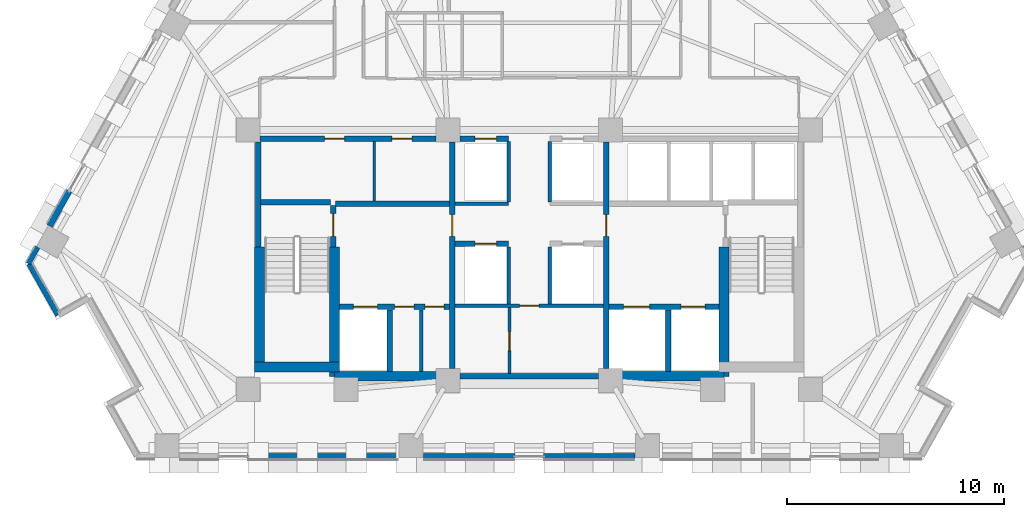
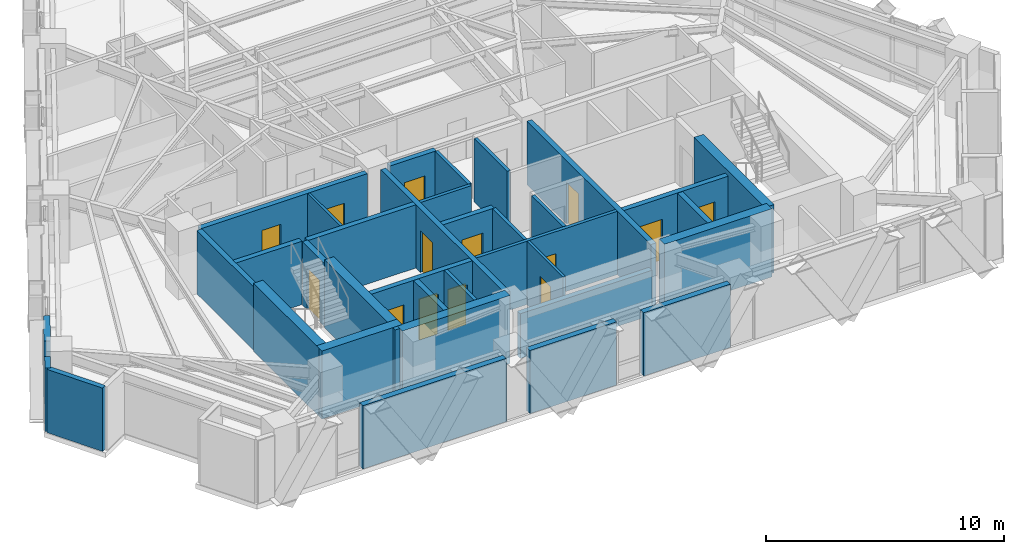
# One storey, part 7 of 13: 35 walls, 14 doors, 14 openings.
"""IFC4 building model written with IfcOpenShell, lengths in metres."""

from ifc_helpers import new_model, si_unit, direction, frame, frame_2d, origin, place, context, subcontext, project, spatial, rectangle, extrude, material, layer, layer_set, type_object, element, fill, save


model = new_model("IFC4")

# Units and contexts
model_context = context("Model", 3, precision=1e-05, world=origin(), true_north=direction((0.0, 1.0)))
body_context = subcontext(model_context, "Body", "Model", "MODEL_VIEW")
ifc_project = project(units=[si_unit("LENGTHUNIT", "METRE"), si_unit("AREAUNIT", "SQUARE_METRE"), si_unit("VOLUMEUNIT", "CUBIC_METRE"), si_unit("PLANEANGLEUNIT", "RADIAN"), si_unit("MASSUNIT", "GRAM", prefix="KILO")], contexts=[model_context])

# Site, building, storey
site_placement = place(None, origin())
site = spatial("IfcSite", under=ifc_project, at=site_placement, CompositionType="ELEMENT")
building_placement = place(site_placement, origin())
building = spatial("IfcBuilding", under=site, at=building_placement, Name="Quenlor Broadcast Tower", CompositionType="ELEMENT")
storey_placement = place(building_placement, frame((0.0, 0.0, 119.5)))
storey = spatial("IfcBuildingStorey", under=building, at=storey_placement, Name="L32", CompositionType="ELEMENT", Elevation=119.5)

# Walls
ifc_material_1 = material(Name="Concrete C50/60", Category="concrete")
ifc_layer_1 = layer(ifc_material_1, 0.449951171875)
ifc_layer_set_1 = layer_set([ifc_layer_1], Name="Core Concrete C50/60 Shear Wall 450")
wall_type_1 = type_object("IfcWallType", Name="Core Concrete C50/60 Shear Wall 450", PredefinedType="SHEAR", material=ifc_layer_set_1)
wall_1_placement = place(storey_placement, frame((-12.64990234375, -15.72509765625, 0.0), z_axis=(0.0, 0.0, 1.0), x_axis=(1.0, 0.0, 0.0)))
element("IfcWall", 1, at=wall_1_placement, inside=storey, type_object=wall_type_1, Name="L32 Core Shear Wall WS-W1", PredefinedType="SHEAR", context=body_context, shape_type="SweptSolid", body=[
    extrude(rectangle(XDim=3.89990234375, YDim=0.449951171875, at=frame_2d((1.949951171875, 0.0))), origin(), (0.0, 0.0, 1.0), 3.5),
])
for number, where, z_axis, x_axis, name in (
    (2, (-8.97509765625, -16.14990234375, 0.0), (0.0, 0.0, 1.0), (1.0, 0.0, 0.0), "L32 Core Shear Wall WS-W2"),
    (3, (3.75, -16.14990234375, 0.0), (0.0, 0.0, 1.0), (1.0, 0.0, 0.0), "L32 Core Shear Wall WS-E1"),
):
    element("IfcWall", number, at=place(storey_placement, frame(where, z_axis=z_axis, x_axis=x_axis)), inside=storey, type_object=wall_type_1, Name=name, PredefinedType="SHEAR", context=body_context, shape_type="SweptSolid", body=[
        extrude(rectangle(XDim=5.22509765625, YDim=0.449951171875, at=frame_2d((2.612548828125, 0.0))), origin(), (0.0, 0.0, 1.0), 3.5),
    ])
wall_2_placement = place(storey_placement, frame((-12.425048828125, -15.72509765625, 0.0), z_axis=(0.0, 0.0, 1.0), x_axis=(0.0, 1.0, 0.0)))
element("IfcWall", 4, at=wall_2_placement, inside=storey, type_object=wall_type_1, Name="L32 Core Shear Wall WF-W", PredefinedType="SHEAR", context=body_context, shape_type="SweptSolid", body=[
    extrude(rectangle(XDim=5.525146484375, YDim=0.449951171875, at=frame_2d((2.7626953125, 0.0))), origin(), (0.0, 0.0, 1.0), 3.5),
])
for number, where, z_axis, x_axis, name in (
    (5, (-8.97509765625, -16.14990234375, 0.0), (0.0, 0.0, 1.0), (0.0, 1.0, 0.0), "L32 Core Shear Wall WI-W"),
    (6, (8.97509765625, -16.14990234375, 0.0), (0.0, 0.0, 1.0), (0.0, 1.0, 0.0), "L32 Core Shear Wall WI-E"),
):
    element("IfcWall", number, at=place(storey_placement, frame(where, z_axis=z_axis, x_axis=x_axis)), inside=storey, type_object=wall_type_1, Name=name, PredefinedType="SHEAR", context=body_context, shape_type="SweptSolid", body=[
        extrude(rectangle(XDim=5.949951171875, YDim=0.449951171875, at=frame_2d((2.97509765625, 0.0))), origin(), (0.0, 0.0, 1.0), 3.5),
    ])

# Wall, opening, door
ifc_material_2 = material(Name="Concrete C40/50", Category="concrete")
ifc_layer_2 = layer(ifc_material_2, 0.25)
ifc_layer_set_2 = layer_set([ifc_layer_2], Name="Fire Rated Concrete C40/50 Core Wall 250")
wall_type_2 = type_object("IfcWallType", Name="Fire Rated Concrete C40/50 Core Wall 250", PredefinedType="PARTITIONING", material=ifc_layer_set_2)
wall_3_placement = place(storey_placement, frame((-9.0400390625, -10.179931640625, 0.0), z_axis=(0.0, 0.0, 1.0), x_axis=(0.0, 1.0, 0.0)))
wall_3 = element("IfcWall", 7, at=wall_3_placement, inside=storey, type_object=wall_type_2, Name="L32 Interior Wall CW-ST1-DR", PredefinedType="PARTITIONING", context=body_context, shape_type="SweptSolid", body=[
    extrude(rectangle(XDim=1.89990234375, YDim=0.25, at=frame_2d((0.949951171875, 0.0))), origin(), (0.0, 0.0, 1.0), 3.25),
])
opening_1_placement = place(wall_3_placement, frame((0.47998046875, 0.0, 0.0)))
opening_1 = element("IfcOpeningElement", 8, at=opening_1_placement, cuts=wall_3, Name="Opening FD-1", PredefinedType="OPENING", context=body_context, shape_type="SweptSolid", body=[
    extrude(rectangle(XDim=1.050048828125, YDim=2.14990234375, at=frame_2d((0.52490234375, 1.074951171875))), frame((0.0, 0.135009765625, 0.0), z_axis=(0.0, -1.0, 0.0), x_axis=(1.0, 0.0, 0.0)), (0.0, 0.0, 1.0), 0.27001953125),
])
ifc_material_3 = material(Name="Fire Rated Steel Door Leaf", Category="steel")
door_type_1 = type_object("IfcDoorType", Name="Fire Isolated Stair Door 1050x2150", OperationType="NOTDEFINED", PredefinedType="DOOR", material=ifc_material_3)
door_1_placement = place(opening_1_placement, origin())
door_1 = element("IfcDoor", 9, at=door_1_placement, inside=storey, type_object=door_type_1, Name="L32 Door DR-ST1", OperationType="SINGLE_SWING_LEFT", OverallHeight=2.14990234375, OverallWidth=1.050048828125, PredefinedType="DOOR", context=body_context, shape_type="SweptSolid", body=[
    extrude(rectangle(XDim=1.050048828125, YDim=2.14990234375, at=frame_2d((0.52490234375, 1.074951171875))), frame((0.0, 0.02490234375, 0.0), z_axis=(0.0, -1.0, 0.0), x_axis=(1.0, 0.0, 0.0)), (0.0, 0.0, 1.0), 0.050048828125),
])
fill(opening_1, door_1)

# Walls
wall_4_placement = place(storey_placement, frame((-12.3798828125, -8.1201171875, 0.0), z_axis=(0.0, 0.0, 1.0), x_axis=(1.0, 0.0, 0.0)))
element("IfcWall", 10, at=wall_4_placement, inside=storey, type_object=wall_type_2, Name="L32 Interior Wall CW-ST1-N", PredefinedType="PARTITIONING", context=body_context, shape_type="SweptSolid", body=[
    extrude(rectangle(XDim=3.219970703125, YDim=0.25, at=frame_2d((1.60986328125, 0.0))), origin(), (0.0, 0.0, 1.0), 3.25),
])
wall_5_placement = place(storey_placement, frame((-12.47998046875, -10.179931640625, 0.0), z_axis=(0.0, 0.0, 1.0), x_axis=(0.0, 1.0, 0.0)))
element("IfcWall", 11, at=wall_5_placement, inside=storey, type_object=wall_type_2, Name="L32 Interior Wall CW-ST1-W2", PredefinedType="PARTITIONING", context=body_context, shape_type="SweptSolid", body=[
    extrude(rectangle(XDim=4.827880859375, YDim=0.25, at=frame_2d((2.4140625, 0.0))), origin(), (0.0, 0.0, 1.0), 3.25),
])

# Wall, openings, doors
wall_6_placement = place(storey_placement, frame((-8.748046875, -12.949951171875, 0.0), z_axis=(0.0, 0.0, 1.0), x_axis=(1.0, 0.0, 0.0)))
wall_6 = element("IfcWall", 12, at=wall_6_placement, inside=storey, type_object=wall_type_2, Name="L32 Interior Wall CW-FFW-S", PredefinedType="PARTITIONING", context=body_context, shape_type="SweptSolid", body=[
    extrude(rectangle(XDim=5.068115234375, YDim=0.25, at=frame_2d((2.5341796875, 0.0))), origin(), (0.0, 0.0, 1.0), 3.25),
])
opening_2_placement = place(wall_6_placement, frame((0.64794921875, 0.0, 0.0)))
opening_2 = element("IfcOpeningElement", 13, at=opening_2_placement, cuts=wall_6, Name="Opening LD-FFL-1", PredefinedType="OPENING", context=body_context, shape_type="SweptSolid", body=[
    extrude(rectangle(XDim=1.10009765625, YDim=2.14990234375, at=frame_2d((0.550048828125, 1.074951171875))), frame((0.0, 0.135009765625, 0.0), z_axis=(0.0, -1.0, 0.0), x_axis=(1.0, 0.0, 0.0)), (0.0, 0.0, 1.0), 0.27001953125),
])
opening_3_placement = place(wall_6_placement, frame((2.548095703125, 0.0, 0.0)))
opening_3 = element("IfcOpeningElement", 14, at=opening_3_placement, cuts=wall_6, Name="Opening TD-1", PredefinedType="OPENING", context=body_context, shape_type="SweptSolid", body=[
    extrude(rectangle(XDim=0.8798828125, YDim=2.10009765625, at=frame_2d((0.43994140625, 1.050048828125))), frame((0.0, 0.135009765625, 0.0), z_axis=(0.0, -1.0, 0.0), x_axis=(1.0, 0.0, 0.0)), (0.0, 0.0, 1.0), 0.27001953125),
])
opening_4_placement = place(wall_6_placement, frame((3.947998046875, 0.0, 0.0)))
opening_4 = element("IfcOpeningElement", 15, at=opening_4_placement, cuts=wall_6, Name="Opening TD-1", PredefinedType="OPENING", context=body_context, shape_type="SweptSolid", body=[
    extrude(rectangle(XDim=0.8798828125, YDim=2.10009765625, at=frame_2d((0.43994140625, 1.050048828125))), frame((0.0, 0.135009765625, 0.0), z_axis=(0.0, -1.0, 0.0), x_axis=(1.0, 0.0, 0.0)), (0.0, 0.0, 1.0), 0.27001953125),
])
ifc_material_4 = material(Name="Brushed Stainless Steel", Category="steel")
door_type_2 = type_object("IfcDoorType", Name="Emergency Lift Sliding Landing Door 1100x2150", OperationType="NOTDEFINED", PredefinedType="DOOR", material=ifc_material_4)
door_2_placement = place(opening_2_placement, origin())
door_2 = element("IfcDoor", 16, at=door_2_placement, inside=storey, type_object=door_type_2, Name="L32 Door LD-FFL-1", OperationType="SLIDING_TO_LEFT", OverallHeight=2.14990234375, OverallWidth=1.10009765625, PredefinedType="DOOR", context=body_context, shape_type="SweptSolid", body=[
    extrude(rectangle(XDim=1.10009765625, YDim=2.14990234375, at=frame_2d((0.550048828125, 1.074951171875))), frame((0.0, 0.02490234375, 0.0), z_axis=(0.0, -1.0, 0.0), x_axis=(1.0, 0.0, 0.0)), (0.0, 0.0, 1.0), 0.050048828125),
])
fill(opening_2, door_2)
ifc_material_5 = material(Name="Fire Rated Steel Access Panel", Category="steel")
door_type_3 = type_object("IfcDoorType", Name="Riser Shaft Rated Access Trapdoor 880x2100", OperationType="NOTDEFINED", PredefinedType="TRAPDOOR", material=ifc_material_5)
door_3_placement = place(opening_3_placement, origin())
door_3 = element("IfcDoor", 17, at=door_3_placement, inside=storey, type_object=door_type_3, Name="L32 Door DR-ELR", OperationType="SINGLE_SWING_LEFT", OverallHeight=2.10009765625, OverallWidth=0.8798828125, PredefinedType="TRAPDOOR", context=body_context, shape_type="SweptSolid", body=[
    extrude(rectangle(XDim=0.8798828125, YDim=2.10009765625, at=frame_2d((0.43994140625, 1.050048828125))), frame((0.0, 0.02490234375, 0.0), z_axis=(0.0, -1.0, 0.0), x_axis=(1.0, 0.0, 0.0)), (0.0, 0.0, 1.0), 0.050048828125),
])
fill(opening_3, door_3)
door_4_placement = place(opening_4_placement, origin())
door_4 = element("IfcDoor", 18, at=door_4_placement, inside=storey, type_object=door_type_3, Name="L32 Door DR-CMR", OperationType="SINGLE_SWING_RIGHT", OverallHeight=2.10009765625, OverallWidth=0.8798828125, PredefinedType="TRAPDOOR", context=body_context, shape_type="SweptSolid", body=[
    extrude(rectangle(XDim=0.8798828125, YDim=2.10009765625, at=frame_2d((0.43994140625, 1.050048828125))), frame((0.0, 0.02490234375, 0.0), z_axis=(0.0, -1.0, 0.0), x_axis=(1.0, 0.0, 0.0)), (0.0, 0.0, 1.0), 0.050048828125),
])
fill(opening_4, door_4)

wall_7_placement = place(storey_placement, frame((3.679931640625, -12.949951171875, 0.0), z_axis=(0.0, 0.0, 1.0), x_axis=(1.0, 0.0, 0.0)))
wall_7 = element("IfcWall", 19, at=wall_7_placement, inside=storey, type_object=wall_type_2, Name="L32 Interior Wall CW-FFE-S", PredefinedType="PARTITIONING", context=body_context, shape_type="SweptSolid", body=[
    extrude(rectangle(XDim=5.068115234375, YDim=0.25, at=frame_2d((2.5341796875, 0.0))), origin(), (0.0, 0.0, 1.0), 3.25),
])
opening_5_placement = place(wall_7_placement, frame((3.320068359375, 0.0, 0.0)))
opening_5 = element("IfcOpeningElement", 20, at=opening_5_placement, cuts=wall_7, Name="Opening LD-FFL-2", PredefinedType="OPENING", context=body_context, shape_type="SweptSolid", body=[
    extrude(rectangle(XDim=1.10009765625, YDim=2.14990234375, at=frame_2d((0.550048828125, 1.074951171875))), frame((0.0, 0.135009765625, 0.0), z_axis=(0.0, -1.0, 0.0), x_axis=(1.0, 0.0, 0.0)), (0.0, 0.0, 1.0), 0.27001953125),
])
opening_6_placement = place(wall_7_placement, frame((0.669921875, 0.0, 0.0)))
opening_6 = element("IfcOpeningElement", 21, at=opening_6_placement, cuts=wall_7, Name="Opening LD-SVL-1", PredefinedType="OPENING", context=body_context, shape_type="SweptSolid", body=[
    extrude(rectangle(XDim=1.199951171875, YDim=2.14990234375, at=frame_2d((0.60009765625, 1.074951171875))), frame((0.0, 0.135009765625, 0.0), z_axis=(0.0, -1.0, 0.0), x_axis=(1.0, 0.0, 0.0)), (0.0, 0.0, 1.0), 0.27001953125),
])
door_5_placement = place(opening_5_placement, origin())
door_5 = element("IfcDoor", 22, at=door_5_placement, inside=storey, type_object=door_type_2, Name="L32 Door LD-FFL-2", OperationType="SLIDING_TO_RIGHT", OverallHeight=2.14990234375, OverallWidth=1.10009765625, PredefinedType="DOOR", context=body_context, shape_type="SweptSolid", body=[
    extrude(rectangle(XDim=1.10009765625, YDim=2.14990234375, at=frame_2d((0.550048828125, 1.074951171875))), frame((0.0, 0.02490234375, 0.0), z_axis=(0.0, -1.0, 0.0), x_axis=(1.0, 0.0, 0.0)), (0.0, 0.0, 1.0), 0.050048828125),
])
fill(opening_5, door_5)
ifc_material_6 = material(Name="Brushed Stainless Steel", Category="steel")
door_type_4 = type_object("IfcDoorType", Name="Goods Lift Sliding Landing Door 1200x2150", OperationType="NOTDEFINED", PredefinedType="DOOR", material=ifc_material_6)
door_6_placement = place(opening_6_placement, origin())
door_6 = element("IfcDoor", 23, at=door_6_placement, inside=storey, type_object=door_type_4, Name="L32 Door LD-SVL-1", OperationType="SLIDING_TO_LEFT", OverallHeight=2.14990234375, OverallWidth=1.199951171875, PredefinedType="DOOR", context=body_context, shape_type="SweptSolid", body=[
    extrude(rectangle(XDim=1.199951171875, YDim=2.14990234375, at=frame_2d((0.60009765625, 1.074951171875))), frame((0.0, 0.02490234375, 0.0), z_axis=(0.0, -1.0, 0.0), x_axis=(1.0, 0.0, 0.0)), (0.0, 0.0, 1.0), 0.050048828125),
])
fill(opening_6, door_6)

# Walls
for number, where, z_axis, x_axis, name in (
    (24, (-6.419921875, -15.919921875, 0.0), (0.0, 0.0, 1.0), (0.0, 1.0, 0.0), "L32 Interior Wall CW-FF1-E"),
    (25, (6.39990234375, -15.919921875, 0.0), (0.0, 0.0, 1.0), (0.0, 1.0, 0.0), "L32 Interior Wall CW-SV1-E"),
):
    element("IfcWall", number, at=place(storey_placement, frame(where, z_axis=z_axis, x_axis=x_axis)), inside=storey, type_object=wall_type_2, Name=name, PredefinedType="PARTITIONING", context=body_context, shape_type="SweptSolid", body=[
        extrude(rectangle(XDim=2.829833984375, YDim=0.25, at=frame_2d((1.4150390625, 0.0))), origin(), (0.0, 0.0, 1.0), 3.25),
    ])
wall_8_placement = place(storey_placement, frame((-8.919921875, -8.199951171875, 0.0), z_axis=(0.0, 0.0, 1.0), x_axis=(1.0, 0.0, 0.0)))
element("IfcWall", 26, at=wall_8_placement, inside=storey, type_object=wall_type_2, Name="L32 Interior Wall CW-FFW-N", PredefinedType="PARTITIONING", context=body_context, shape_type="SweptSolid", body=[
    extrude(rectangle(XDim=5.239990234375, YDim=0.25, at=frame_2d((2.6201171875, 0.0))), origin(), (0.0, 0.0, 1.0), 3.25),
])

# Wall, opening, door
wall_9_placement = place(storey_placement, frame((-3.550048828125, -15.798095703125, 0.0), z_axis=(0.0, 0.0, 1.0), x_axis=(0.0, 1.0, 0.0)))
wall_9 = element("IfcWall", 27, at=wall_9_placement, inside=storey, type_object=wall_type_2, Name="L32 Interior Wall CW-FFW-E", PredefinedType="PARTITIONING", context=body_context, shape_type="SweptSolid", body=[
    extrude(rectangle(XDim=10.446044921875, YDim=0.25, at=frame_2d((5.22314453125, 0.0))), origin(), (0.0, 0.0, 1.0), 3.25),
])
opening_7_placement = place(wall_9_placement, frame((6.097900390625, 0.0, 0.0)))
opening_7 = element("IfcOpeningElement", 28, at=opening_7_placement, cuts=wall_9, Name="Opening FD-2", PredefinedType="OPENING", context=body_context, shape_type="SweptSolid", body=[
    extrude(rectangle(XDim=1.0, YDim=2.14990234375, at=frame_2d((0.5, 1.074951171875))), frame((0.0, 0.135009765625, 0.0), z_axis=(0.0, -1.0, 0.0), x_axis=(1.0, 0.0, 0.0)), (0.0, 0.0, 1.0), 0.27001953125),
])
ifc_material_7 = material(Name="Fire Rated Glazed Steel Door", Category="steel")
door_type_5 = type_object("IfcDoorType", Name="Firefighting Lobby Smoke Door 1000x2150", OperationType="NOTDEFINED", PredefinedType="DOOR", material=ifc_material_7)
door_7_placement = place(opening_7_placement, origin())
door_7 = element("IfcDoor", 29, at=door_7_placement, inside=storey, type_object=door_type_5, Name="L32 Door DR-FFLW", OperationType="SINGLE_SWING_RIGHT", OverallHeight=2.14990234375, OverallWidth=1.0, PredefinedType="DOOR", context=body_context, shape_type="SweptSolid", body=[
    extrude(rectangle(XDim=1.0, YDim=2.14990234375, at=frame_2d((0.5, 1.074951171875))), frame((0.0, 0.02490234375, 0.0), z_axis=(0.0, -1.0, 0.0), x_axis=(1.0, 0.0, 0.0)), (0.0, 0.0, 1.0), 0.050048828125),
])
fill(opening_7, door_7)

wall_10_placement = place(storey_placement, frame((3.550048828125, -15.798095703125, 0.0), z_axis=(0.0, 0.0, 1.0), x_axis=(0.0, 1.0, 0.0)))
wall_10 = element("IfcWall", 30, at=wall_10_placement, inside=storey, type_object=wall_type_2, Name="L32 Interior Wall CW-FFE-W", PredefinedType="PARTITIONING", context=body_context, shape_type="SweptSolid", body=[
    extrude(rectangle(XDim=10.446044921875, YDim=0.25, at=frame_2d((5.22314453125, 0.0))), origin(), (0.0, 0.0, 1.0), 3.25),
])
opening_8_placement = place(wall_10_placement, frame((6.097900390625, 0.0, 0.0)))
opening_8 = element("IfcOpeningElement", 31, at=opening_8_placement, cuts=wall_10, Name="Opening FD-2", PredefinedType="OPENING", context=body_context, shape_type="SweptSolid", body=[
    extrude(rectangle(XDim=1.0, YDim=2.14990234375, at=frame_2d((0.5, 1.074951171875))), frame((0.0, 0.135009765625, 0.0), z_axis=(0.0, -1.0, 0.0), x_axis=(1.0, 0.0, 0.0)), (0.0, 0.0, 1.0), 0.27001953125),
])
door_8_placement = place(opening_8_placement, origin())
door_8 = element("IfcDoor", 32, at=door_8_placement, inside=storey, type_object=door_type_5, Name="L32 Door DR-FFLE", OperationType="SINGLE_SWING_LEFT", OverallHeight=2.14990234375, OverallWidth=1.0, PredefinedType="DOOR", context=body_context, shape_type="SweptSolid", body=[
    extrude(rectangle(XDim=1.0, YDim=2.14990234375, at=frame_2d((0.5, 1.074951171875))), frame((0.0, 0.02490234375, 0.0), z_axis=(0.0, -1.0, 0.0), x_axis=(1.0, 0.0, 0.0)), (0.0, 0.0, 1.0), 0.050048828125),
])
fill(opening_8, door_8)

# Wall, openings, doors
wall_11_placement = place(storey_placement, frame((-12.39794921875, -5.199951171875, 0.0), z_axis=(0.0, 0.0, 1.0), x_axis=(1.0, 0.0, 0.0)))
wall_11 = element("IfcWall", 33, at=wall_11_placement, inside=storey, type_object=wall_type_2, Name="L32 Interior Wall CW-N-W", PredefinedType="PARTITIONING", context=body_context, shape_type="SweptSolid", body=[
    extrude(rectangle(XDim=8.095947265625, YDim=0.25, at=frame_2d((4.0478515625, 0.0))), origin(), (0.0, 0.0, 1.0), 3.25),
])
opening_9_placement = place(wall_11_placement, frame((2.968017578125, 0.0, 0.0)))
opening_9 = element("IfcOpeningElement", 34, at=opening_9_placement, cuts=wall_11, Name="Opening ID-1", PredefinedType="OPENING", context=body_context, shape_type="SweptSolid", body=[
    extrude(rectangle(XDim=0.919921875, YDim=2.1201171875, at=frame_2d((0.4599609375, 1.06005859375))), frame((0.0, 0.135009765625, 0.0), z_axis=(0.0, -1.0, 0.0), x_axis=(1.0, 0.0, 0.0)), (0.0, 0.0, 1.0), 0.27001953125),
])
opening_10_placement = place(wall_11_placement, frame((6.068115234375, 0.0, 0.0)))
opening_10 = element("IfcOpeningElement", 35, at=opening_10_placement, cuts=wall_11, Name="Opening ID-1", PredefinedType="OPENING", context=body_context, shape_type="SweptSolid", body=[
    extrude(rectangle(XDim=0.919921875, YDim=2.1201171875, at=frame_2d((0.4599609375, 1.06005859375))), frame((0.0, 0.135009765625, 0.0), z_axis=(0.0, -1.0, 0.0), x_axis=(1.0, 0.0, 0.0)), (0.0, 0.0, 1.0), 0.27001953125),
])
ifc_material_8 = material(Name="Solid Core Timber Oak", Category="wood")
door_type_6 = type_object("IfcDoorType", Name="Single Leaf Timber Office Door 920x2120", OperationType="NOTDEFINED", PredefinedType="DOOR", material=ifc_material_8)
door_9_placement = place(opening_9_placement, origin())
door_9 = element("IfcDoor", 36, at=door_9_placement, inside=storey, type_object=door_type_6, Name="L32 Door DR-RCL1", OperationType="SINGLE_SWING_LEFT", OverallHeight=2.1201171875, OverallWidth=0.919921875, PredefinedType="DOOR", context=body_context, shape_type="SweptSolid", body=[
    extrude(rectangle(XDim=0.919921875, YDim=2.1201171875, at=frame_2d((0.4599609375, 1.06005859375))), frame((0.0, 0.02490234375, 0.0), z_axis=(0.0, -1.0, 0.0), x_axis=(1.0, 0.0, 0.0)), (0.0, 0.0, 1.0), 0.050048828125),
])
fill(opening_9, door_9)
door_10_placement = place(opening_10_placement, origin())
door_10 = element("IfcDoor", 37, at=door_10_placement, inside=storey, type_object=door_type_6, Name="L32 Door DR-RCL2", OperationType="SINGLE_SWING_RIGHT", OverallHeight=2.1201171875, OverallWidth=0.919921875, PredefinedType="DOOR", context=body_context, shape_type="SweptSolid", body=[
    extrude(rectangle(XDim=0.919921875, YDim=2.1201171875, at=frame_2d((0.4599609375, 1.06005859375))), frame((0.0, 0.02490234375, 0.0), z_axis=(0.0, -1.0, 0.0), x_axis=(1.0, 0.0, 0.0)), (0.0, 0.0, 1.0), 0.050048828125),
])
fill(opening_10, door_10)

# Wall, opening, door
wall_12_placement = place(storey_placement, frame((-3.197998046875, -5.199951171875, 0.0), z_axis=(0.0, 0.0, 1.0), x_axis=(1.0, 0.0, 0.0)))
wall_12 = element("IfcWall", 38, at=wall_12_placement, inside=storey, type_object=wall_type_2, Name="L32 Interior Wall CW-N-M1", PredefinedType="PARTITIONING", context=body_context, shape_type="SweptSolid", body=[
    extrude(rectangle(XDim=2.248046875, YDim=0.25, at=frame_2d((1.1240234375, 0.0))), origin(), (0.0, 0.0, 1.0), 3.25),
])
opening_11_placement = place(wall_12_placement, frame((0.697998046875, 0.0, 0.0)))
opening_11 = element("IfcOpeningElement", 39, at=opening_11_placement, cuts=wall_12, Name="Opening LD-PL-M1", PredefinedType="OPENING", context=body_context, shape_type="SweptSolid", body=[
    extrude(rectangle(XDim=1.0, YDim=2.14990234375, at=frame_2d((0.5, 1.074951171875))), frame((0.0, 0.135009765625, 0.0), z_axis=(0.0, -1.0, 0.0), x_axis=(1.0, 0.0, 0.0)), (0.0, 0.0, 1.0), 0.27001953125),
])
ifc_material_9 = material(Name="Brushed Stainless Steel", Category="steel")
door_type_7 = type_object("IfcDoorType", Name="Passenger Lift Sliding Landing Door 1000x2150", OperationType="NOTDEFINED", PredefinedType="DOOR", material=ifc_material_9)
door_11_placement = place(opening_11_placement, origin())
door_11 = element("IfcDoor", 40, at=door_11_placement, inside=storey, type_object=door_type_7, Name="L32 Door LD-PL-M1", OperationType="SLIDING_TO_LEFT", OverallHeight=2.14990234375, OverallWidth=1.0, PredefinedType="DOOR", context=body_context, shape_type="SweptSolid", body=[
    extrude(rectangle(XDim=1.0, YDim=2.14990234375, at=frame_2d((0.5, 1.074951171875))), frame((0.0, 0.02490234375, 0.0), z_axis=(0.0, -1.0, 0.0), x_axis=(1.0, 0.0, 0.0)), (0.0, 0.0, 1.0), 0.050048828125),
])
fill(opening_11, door_11)

# Wall
wall_13_placement = place(storey_placement, frame((-3.197998046875, -16.14990234375, 0.0), z_axis=(0.0, 0.0, 1.0), x_axis=(1.0, 0.0, 0.0)))
element("IfcWall", 41, at=wall_13_placement, inside=storey, type_object=wall_type_2, Name="L32 Interior Wall CW-MS-S", PredefinedType="PARTITIONING", context=body_context, shape_type="SweptSolid", body=[
    extrude(rectangle(XDim=6.39599609375, YDim=0.25, at=frame_2d((3.197998046875, 0.0))), origin(), (0.0, 0.0, 1.0), 2.300048828125),
])

# Wall, opening, door
wall_14_placement = place(storey_placement, frame((-3.419921875, -10.050048828125, 0.0), z_axis=(0.0, 0.0, 1.0), x_axis=(1.0, 0.0, 0.0)))
wall_14 = element("IfcWall", 42, at=wall_14_placement, inside=storey, type_object=wall_type_2, Name="L32 Interior Wall CW-MS-N1", PredefinedType="PARTITIONING", context=body_context, shape_type="SweptSolid", body=[
    extrude(rectangle(XDim=2.469970703125, YDim=0.25, at=frame_2d((1.23486328125, 0.0))), origin(), (0.0, 0.0, 1.0), 3.25),
])
opening_12_placement = place(wall_14_placement, frame((0.919921875, 0.0, 0.0)))
opening_12 = element("IfcOpeningElement", 43, at=opening_12_placement, cuts=wall_14, Name="Opening LD-PL-M3", PredefinedType="OPENING", context=body_context, shape_type="SweptSolid", body=[
    extrude(rectangle(XDim=1.0, YDim=2.14990234375, at=frame_2d((0.5, 1.074951171875))), frame((0.0, 0.135009765625, 0.0), z_axis=(0.0, -1.0, 0.0), x_axis=(1.0, 0.0, 0.0)), (0.0, 0.0, 1.0), 0.27001953125),
])
door_12_placement = place(opening_12_placement, origin())
door_12 = element("IfcDoor", 44, at=door_12_placement, inside=storey, type_object=door_type_7, Name="L32 Door LD-PL-M3", OperationType="SLIDING_TO_LEFT", OverallHeight=2.14990234375, OverallWidth=1.0, PredefinedType="DOOR", context=body_context, shape_type="SweptSolid", body=[
    extrude(rectangle(XDim=1.0, YDim=2.14990234375, at=frame_2d((0.5, 1.074951171875))), frame((0.0, 0.02490234375, 0.0), z_axis=(0.0, -1.0, 0.0), x_axis=(1.0, 0.0, 0.0)), (0.0, 0.0, 1.0), 0.050048828125),
])
fill(opening_12, door_12)

# Walls
ifc_material_10 = material(Name="Gypsum Fireboard Partition", Category="other")
ifc_layer_3 = layer(ifc_material_10, 0.159912109375)
ifc_layer_set_3 = layer_set([ifc_layer_3], Name="Fire Rated Shaft and Corridor Partition 160")
wall_type_3 = type_object("IfcWallType", Name="Fire Rated Shaft and Corridor Partition 160", PredefinedType="PARTITIONING", material=ifc_layer_set_3)
wall_15_placement = place(storey_placement, frame((-4.97998046875, -15.919921875, 0.0), z_axis=(0.0, 0.0, 1.0), x_axis=(0.0, 1.0, 0.0)))
element("IfcWall", 45, at=wall_15_placement, inside=storey, type_object=wall_type_3, Name="L32 Interior Wall CW-ELR-E", PredefinedType="PARTITIONING", context=body_context, shape_type="SweptSolid", body=[
    extrude(rectangle(XDim=2.829833984375, YDim=0.159912109375, at=frame_2d((1.4150390625, 0.0))), origin(), (0.0, 0.0, 1.0), 3.25),
])
for number, where, z_axis, x_axis, name in (
    (46, (-0.949951171875, -8.1201171875, 0.0), (0.0, 0.0, 1.0), (0.0, 1.0, 0.0), "L32 Interior Wall CW-CCRP-W"),
    (47, (0.949951171875, -8.1201171875, 0.0), (0.0, 0.0, 1.0), (0.0, 1.0, 0.0), "L32 Interior Wall CW-CCRP-E"),
):
    element("IfcWall", number, at=place(storey_placement, frame(where, z_axis=z_axis, x_axis=x_axis)), inside=storey, type_object=wall_type_3, Name=name, PredefinedType="PARTITIONING", context=body_context, shape_type="SweptSolid", body=[
        extrude(rectangle(XDim=2.780029296875, YDim=0.159912109375, at=frame_2d((1.39013671875, 0.0))), origin(), (0.0, 0.0, 1.0), 3.25),
    ])
wall_16_placement = place(storey_placement, frame((-3.419921875, -8.199951171875, 0.0), z_axis=(0.0, 0.0, 1.0), x_axis=(1.0, 0.0, 0.0)))
element("IfcWall", 48, at=wall_16_placement, inside=storey, type_object=wall_type_3, Name="L32 Interior Wall CW-M-BACK1", PredefinedType="PARTITIONING", context=body_context, shape_type="SweptSolid", body=[
    extrude(rectangle(XDim=2.469970703125, YDim=0.159912109375, at=frame_2d((1.23486328125, 0.0))), origin(), (0.0, 0.0, 1.0), 3.25),
])

# Wall, opening, door
wall_17_placement = place(storey_placement, frame((-3.419921875, -12.89990234375, 0.0), z_axis=(0.0, 0.0, 1.0), x_axis=(1.0, 0.0, 0.0)))
wall_17 = element("IfcWall", 49, at=wall_17_placement, inside=storey, type_object=wall_type_3, Name="L32 Interior Wall CW-MS-B", PredefinedType="PARTITIONING", context=body_context, shape_type="SweptSolid", body=[
    extrude(rectangle(XDim=6.83984375, YDim=0.159912109375, at=frame_2d((3.419921875, 0.0))), origin(), (0.0, 0.0, 1.0), 3.25),
])
opening_13_placement = place(wall_17_placement, frame((2.97998046875, 0.0, 0.0)))
opening_13 = element("IfcOpeningElement", 50, at=opening_13_placement, cuts=wall_17, Name="Opening ID-4", PredefinedType="OPENING", context=body_context, shape_type="SweptSolid", body=[
    extrude(rectangle(XDim=0.8798828125, YDim=2.1201171875, at=frame_2d((0.43994140625, 1.06005859375))), frame((0.0, 0.08984375, 0.0), z_axis=(0.0, -1.0, 0.0), x_axis=(1.0, 0.0, 0.0)), (0.0, 0.0, 1.0), 0.179931640625),
])
ifc_material_11 = material(Name="Solid Core Timber Oak", Category="wood")
door_type_8 = type_object("IfcDoorType", Name="Service Closet Timber Door 880x2120", OperationType="NOTDEFINED", PredefinedType="DOOR", material=ifc_material_11)
door_13_placement = place(opening_13_placement, origin())
door_13 = element("IfcDoor", 51, at=door_13_placement, inside=storey, type_object=door_type_8, Name="L32 Door DR-CSV0", OperationType="SINGLE_SWING_LEFT", OverallHeight=2.1201171875, OverallWidth=0.8798828125, PredefinedType="DOOR", context=body_context, shape_type="SweptSolid", body=[
    extrude(rectangle(XDim=0.8798828125, YDim=2.1201171875, at=frame_2d((0.43994140625, 1.06005859375))), frame((0.0, 0.02490234375, 0.0), z_axis=(0.0, -1.0, 0.0), x_axis=(1.0, 0.0, 0.0)), (0.0, 0.0, 1.0), 0.050048828125),
])
fill(opening_13, door_13)

# Walls
for number, where, z_axis, x_axis, name in (
    (52, (-0.949951171875, -12.818115234375, 0.0), (0.0, 0.0, 1.0), (0.0, 1.0, 0.0), "L32 Interior Wall CW-MS-W"),
    (53, (0.949951171875, -12.818115234375, 0.0), (0.0, 0.0, 1.0), (0.0, 1.0, 0.0), "L32 Interior Wall CW-MS-E"),
):
    element("IfcWall", number, at=place(storey_placement, frame(where, z_axis=z_axis, x_axis=x_axis)), inside=storey, type_object=wall_type_3, Name=name, PredefinedType="PARTITIONING", context=body_context, shape_type="SweptSolid", body=[
        extrude(rectangle(XDim=2.63818359375, YDim=0.159912109375, at=frame_2d((1.319091796875, 0.0))), origin(), (0.0, 0.0, 1.0), 3.25),
    ])
ifc_material_12 = material(Name="Gypsum Plasterboard Partition", Category="other")
ifc_layer_4 = layer(ifc_material_12, 0.1201171875)
ifc_layer_set_4 = layer_set([ifc_layer_4], Name="Standard Office Partition 120")
wall_type_4 = type_object("IfcWallType", Name="Standard Office Partition 120", PredefinedType="PARTITIONING", material=ifc_layer_set_4)
wall_18_placement = place(storey_placement, frame((-7.14990234375, -8.072998046875, 0.0), z_axis=(0.0, 0.0, 1.0), x_axis=(0.0, 1.0, 0.0)))
element("IfcWall", 54, at=wall_18_placement, inside=storey, type_object=wall_type_4, Name="L32 Interior Wall CW-RCL-MID", PredefinedType="PARTITIONING", context=body_context, shape_type="SweptSolid", body=[
    extrude(rectangle(XDim=2.73291015625, YDim=0.1201171875, at=frame_2d((1.366455078125, 0.0))), origin(), (0.0, 0.0, 1.0), 3.25),
])

# Wall, opening, door
wall_19_placement = place(storey_placement, frame((-0.909912109375, -16.02001953125, 0.0), z_axis=(0.0, 0.0, 1.0), x_axis=(0.0, 1.0, 0.0)))
wall_19 = element("IfcWall", 55, at=wall_19_placement, inside=storey, type_object=wall_type_4, Name="L32 Interior Wall CW-CSV-W1", PredefinedType="PARTITIONING", context=body_context, shape_type="SweptSolid", body=[
    extrude(rectangle(XDim=3.0380859375, YDim=0.1201171875, at=frame_2d((1.51904296875, 0.0))), origin(), (0.0, 0.0, 1.0), 3.25),
])
opening_14_placement = place(wall_19_placement, frame((1.050048828125, 0.0, 0.0)))
opening_14 = element("IfcOpeningElement", 56, at=opening_14_placement, cuts=wall_19, Name="Opening ID-4", PredefinedType="OPENING", context=body_context, shape_type="SweptSolid", body=[
    extrude(rectangle(XDim=0.8798828125, YDim=2.1201171875, at=frame_2d((0.43994140625, 1.06005859375))), frame((0.0, 0.070068359375, 0.0), z_axis=(0.0, -1.0, 0.0), x_axis=(1.0, 0.0, 0.0)), (0.0, 0.0, 1.0), 0.14013671875),
])
door_14_placement = place(opening_14_placement, origin())
door_14 = element("IfcDoor", 57, at=door_14_placement, inside=storey, type_object=door_type_8, Name="L32 Door DR-CSV1", OperationType="SINGLE_SWING_LEFT", OverallHeight=2.1201171875, OverallWidth=0.8798828125, PredefinedType="DOOR", context=body_context, shape_type="SweptSolid", body=[
    extrude(rectangle(XDim=0.8798828125, YDim=2.1201171875, at=frame_2d((0.43994140625, 1.06005859375))), frame((0.0, 0.02490234375, 0.0), z_axis=(0.0, -1.0, 0.0), x_axis=(1.0, 0.0, 0.0)), (0.0, 0.0, 1.0), 0.050048828125),
])
fill(opening_14, door_14)

# Walls
ifc_material_13 = material(Name="Precast concrete C40/50", Category="concrete")
ifc_layer_5 = layer(ifc_material_13, 0.239990234375)
ifc_layer_set_5 = layer_set([ifc_layer_5], Name="Terrace Threshold Precast Concrete C40/50 Wall 240")
wall_type_5 = type_object("IfcWallType", Name="Terrace Threshold Precast Concrete C40/50 Wall 240", PredefinedType="STANDARD", material=ifc_layer_set_5)
wall_20_placement = place(storey_placement, frame((-23.078125, -10.9541015625, 0.0), z_axis=(0.0, 0.0, 1.0), x_axis=(0.490355003566, 0.871522788272, 0.0)))
element("IfcWall", 58, at=wall_20_placement, inside=storey, type_object=wall_type_5, Name="L32 Exterior Wall L32-SHD-NWS0", PredefinedType="STANDARD", context=body_context, shape_type="SweptSolid", body=[
    extrude(rectangle(XDim=0.865234375, YDim=0.239990234375, at=frame_2d((0.4326171875, 0.0))), origin(), (0.0, 0.0, 1.0), 3.25),
])
wall_21_placement = place(storey_placement, frame((-23.043701171875, -10.962890625, 0.0), z_axis=(0.0, 0.0, 1.0), x_axis=(0.490218533594, -0.871599557894, 0.0)))
element("IfcWall", 59, at=wall_21_placement, inside=storey, type_object=wall_type_5, Name="L32 Exterior Wall L32-CNR-12", PredefinedType="STANDARD", context=body_context, shape_type="SweptSolid", body=[
    extrude(rectangle(XDim=2.714111328125, YDim=0.239990234375, at=frame_2d((1.35693359375, 0.0))), origin(), (0.0, 0.0, 1.0), 3.25),
])
ifc_material_14 = material(Name="Precast concrete C40/50", Category="concrete")
ifc_layer_6 = layer(ifc_material_14, 0.280029296875)
ifc_layer_set_6 = layer_set([ifc_layer_6], Name="Terracotta Precast Concrete C40/50 Facade Wall 280")
wall_type_6 = type_object("IfcWallType", Name="Terracotta Precast Concrete C40/50 Facade Wall 280", PredefinedType="STANDARD", material=ifc_layer_set_6)
wall_22_placement = place(storey_placement, frame((-6.018310546875, -19.840087890625, 0.0), z_axis=(0.0, 0.0, 1.0), x_axis=(-1.0, 0.0, 0.0)))
element("IfcWall", 60, at=wall_22_placement, inside=storey, type_object=wall_type_6, Name="L32 Exterior Wall L32-SC-SP1", PredefinedType="STANDARD", context=body_context, shape_type="SweptSolid", body=[
    extrude(rectangle(XDim=6.96044921875, YDim=0.280029296875, at=frame_2d((3.480224609375, 0.0))), origin(), (0.0, 0.0, 1.0), 3.25),
])
for number, where, z_axis, x_axis, name in (
    (61, (4.873291015625, -19.840087890625, 0.0), (0.0, 0.0, 1.0), (-1.0, 0.0, 0.0), "L32 Exterior Wall L32-S-SP1"),
    (62, (-0.656494140625, -19.840087890625, 0.0), (0.0, 0.0, 1.0), (-1.0, 0.0, 0.0), "L32 Exterior Wall L32-S-SP2"),
):
    element("IfcWall", number, at=place(storey_placement, frame(where, z_axis=z_axis, x_axis=x_axis)), inside=storey, type_object=wall_type_6, Name=name, PredefinedType="STANDARD", context=body_context, shape_type="SweptSolid", body=[
        extrude(rectangle(XDim=4.216796875, YDim=0.280029296875, at=frame_2d((2.1083984375, 0.0))), origin(), (0.0, 0.0, 1.0), 3.25),
    ])
wall_23_placement = place(storey_placement, frame((-22.099853515625, -9.215087890625, 0.0), z_axis=(0.0, 0.0, 1.0), x_axis=(0.490280102884, 0.871564926277, 0.0)))
element("IfcWall", 63, at=wall_23_placement, inside=storey, type_object=wall_type_6, Name="L32 Exterior Wall L32-NWA-SP1", PredefinedType="STANDARD", context=body_context, shape_type="SweptSolid", body=[
    extrude(rectangle(XDim=1.843505859375, YDim=0.280029296875, at=frame_2d((0.921875, 0.0))), origin(), (0.0, 0.0, 1.0), 3.25),
])

save(model, "model.ifc")
